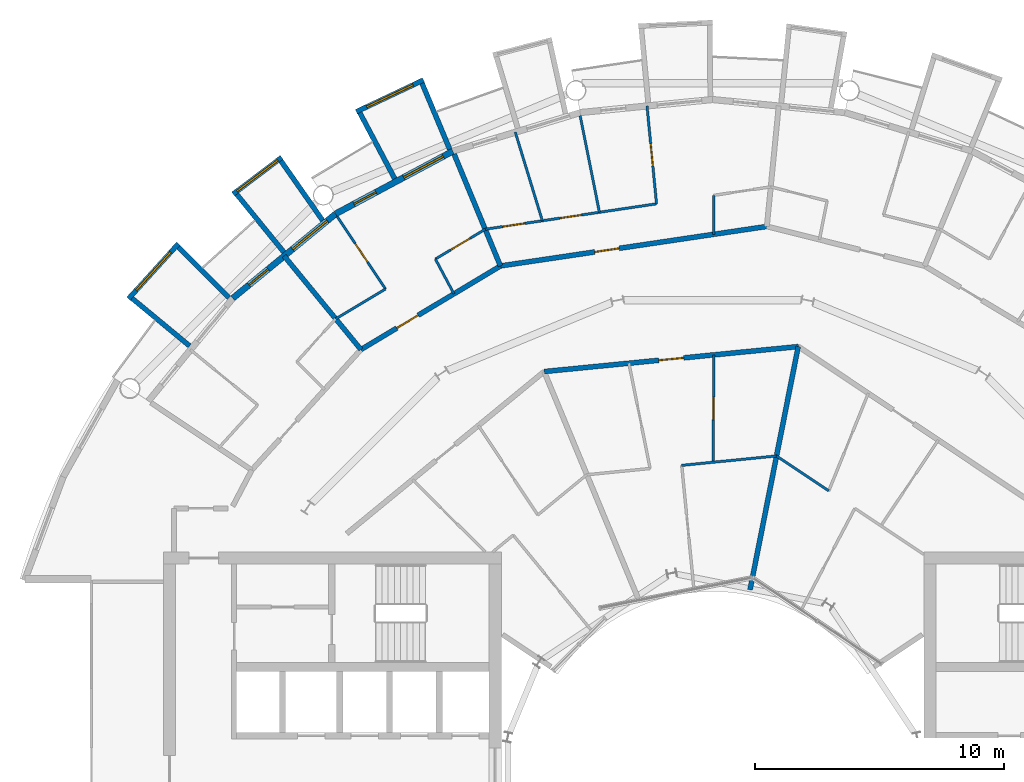
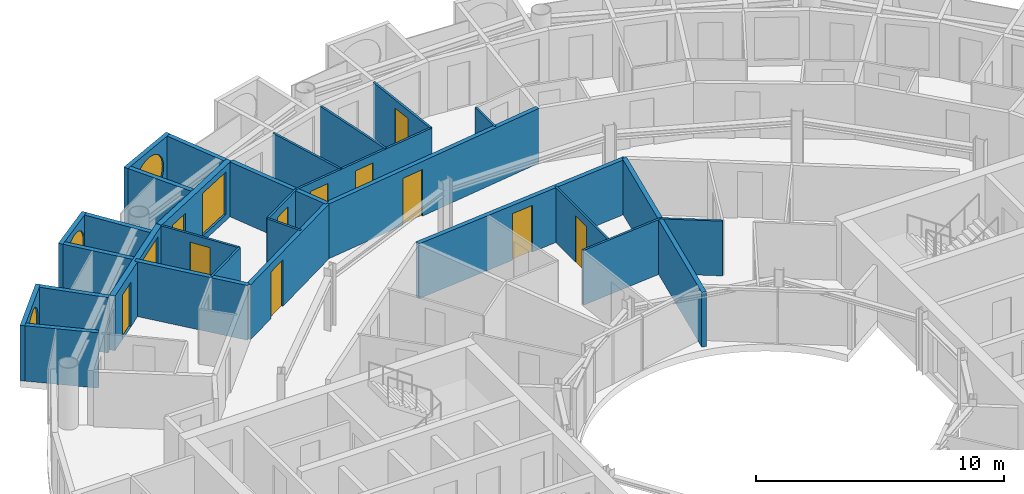
# One storey, part 20 of 27: 29 walls, 11 doors, 5 windows, 16 openings.
"""IFC4 building model written with IfcOpenShell, lengths in metres."""

from ifc_helpers import new_model, si_unit, direction, frame, frame_2d, origin, place, context, subcontext, project, spatial, rectangle, circle, extrude, material, layer, layer_set, type_object, element, fill, save


model = new_model("IFC4")

# Units and contexts
model_context = context("Model", 3, precision=1e-05, world=origin(), true_north=direction((0.0, 1.0)))
body_context = subcontext(model_context, "Body", "Model", "MODEL_VIEW")
ifc_project = project(units=[si_unit("LENGTHUNIT", "METRE"), si_unit("AREAUNIT", "SQUARE_METRE"), si_unit("VOLUMEUNIT", "CUBIC_METRE"), si_unit("PLANEANGLEUNIT", "RADIAN"), si_unit("MASSUNIT", "GRAM", prefix="KILO")], contexts=[model_context])

# Site, building, storey
site_placement = place(None, origin())
site = spatial("IfcSite", under=ifc_project, at=site_placement, CompositionType="ELEMENT")
building_placement = place(site_placement, origin())
building = spatial("IfcBuilding", under=site, at=building_placement, Name="Maasbend Ring Residences", CompositionType="ELEMENT")
storey_placement = place(building_placement, frame((0.0, 0.0, 145.199951171875)))
storey = spatial("IfcBuildingStorey", under=building, at=storey_placement, Name="L41", CompositionType="ELEMENT", Elevation=145.199951171875)

# Wall, opening, door
ifc_material_1 = material(Name="Concrete C30/37", Category="concrete")
ifc_layer_1 = layer(ifc_material_1, 0.199951171875)
ifc_layer_set_1 = layer_set([ifc_layer_1], Name="Concrete C30/37")
wall_type_1 = type_object("IfcWallType", Name="CORRIDOR WALL 200 CONCRETE", PredefinedType="PARTITIONING", material=ifc_layer_set_1)
wall_1_placement = place(storey_placement, frame((-6.77294921875, 16.35302734375, 0.0), z_axis=(0.0, 0.0, 1.0), x_axis=(0.995201809366, 0.097843541607, 0.0)))
wall_1 = element("IfcWall", 1, at=wall_1_placement, inside=storey, type_object=wall_type_1, Name="U-L41-w096", PredefinedType="PARTITIONING", context=body_context, shape_type="SweptSolid", body=[
    extrude(rectangle(XDim=10.2802734375, YDim=0.199951171875, at=frame_2d((5.14013671875, 0.0))), origin(), (0.0, 0.0, 1.0), 2.699951171875),
])
opening_1_placement = place(wall_1_placement, frame((4.637939453125, 0.0, 0.0)))
opening_1 = element("IfcOpeningElement", 2, at=opening_1_placement, cuts=wall_1, Name="Opening D-4125", PredefinedType="OPENING", context=body_context, shape_type="SweptSolid", body=[
    extrude(rectangle(XDim=1.0, YDim=2.300048828125, at=frame_2d((0.5, 1.14990234375))), frame((0.0, 0.10986328125, 0.0), z_axis=(0.0, -1.0, 0.0), x_axis=(1.0, 0.0, 0.0)), (0.0, 0.0, 1.0), 0.219970703125),
])
ifc_material_2 = material(Name="Timber, fire-rated, painted", Category="wood")
door_type_1 = type_object("IfcDoorType", Name="FLAT ENTRANCE DOOR 1000 X 2300 FIRE-RATED", OperationType="NOTDEFINED", PredefinedType="DOOR", material=ifc_material_2)
door_1_placement = place(opening_1_placement, origin())
door_1 = element("IfcDoor", 3, at=door_1_placement, inside=storey, type_object=door_type_1, Name="D-4125", OperationType="SINGLE_SWING_LEFT", OverallHeight=2.300048828125, OverallWidth=1.0, PredefinedType="DOOR", context=body_context, shape_type="SweptSolid", body=[
    extrude(rectangle(XDim=1.0, YDim=2.300048828125, at=frame_2d((0.5, 1.14990234375))), frame((0.0, 0.02490234375, 0.0), z_axis=(0.0, -1.0, 0.0), x_axis=(1.0, 0.0, 0.0)), (0.0, 0.0, 1.0), 0.050048828125),
])
fill(opening_1, door_1)

wall_2_placement = place(storey_placement, frame((-8.533935546875, 20.60302734375, 0.0), z_axis=(0.0, 0.0, 1.0), x_axis=(0.989177441421, 0.146724194948, 0.0)))
wall_2 = element("IfcWall", 4, at=wall_2_placement, inside=storey, type_object=wall_type_1, Name="U-L41-w097", PredefinedType="PARTITIONING", context=body_context, shape_type="SweptSolid", body=[
    extrude(rectangle(XDim=10.837158203125, YDim=0.199951171875, at=frame_2d((5.41845703125, 0.0))), origin(), (0.0, 0.0, 1.0), 2.699951171875),
])
opening_2_placement = place(wall_2_placement, frame((3.8349609375, 0.0, 0.0)))
opening_2 = element("IfcOpeningElement", 5, at=opening_2_placement, cuts=wall_2, Name="Opening D-4110", PredefinedType="OPENING", context=body_context, shape_type="SweptSolid", body=[
    extrude(rectangle(XDim=1.0, YDim=2.300048828125, at=frame_2d((0.5, 1.14990234375))), frame((0.0, 0.10986328125, 0.0), z_axis=(0.0, -1.0, 0.0), x_axis=(1.0, 0.0, 0.0)), (0.0, 0.0, 1.0), 0.219970703125),
])
door_2_placement = place(opening_2_placement, origin())
door_2 = element("IfcDoor", 6, at=door_2_placement, inside=storey, type_object=door_type_1, Name="D-4110", OperationType="SINGLE_SWING_LEFT", OverallHeight=2.300048828125, OverallWidth=1.0, PredefinedType="DOOR", context=body_context, shape_type="SweptSolid", body=[
    extrude(rectangle(XDim=1.0, YDim=2.300048828125, at=frame_2d((0.5, 1.14990234375))), frame((0.0, 0.02490234375, 0.0), z_axis=(0.0, -1.0, 0.0), x_axis=(1.0, 0.0, 0.0)), (0.0, 0.0, 1.0), 0.050048828125),
])
fill(opening_2, door_2)

wall_3_placement = place(storey_placement, frame((-14.14990234375, 17.235107421875, 0.0), z_axis=(0.0, 0.0, 1.0), x_axis=(0.857604752351, 0.514309331769, 0.0)))
wall_3 = element("IfcWall", 7, at=wall_3_placement, inside=storey, type_object=wall_type_1, Name="U-L41-w101", PredefinedType="PARTITIONING", context=body_context, shape_type="SweptSolid", body=[
    extrude(rectangle(XDim=6.54833984375, YDim=0.199951171875, at=frame_2d((3.274169921875, 0.0))), origin(), (0.0, 0.0, 1.0), 2.699951171875),
])
opening_3_placement = place(wall_3_placement, frame((1.68505859375, 0.0, 0.0)))
opening_3 = element("IfcOpeningElement", 8, at=opening_3_placement, cuts=wall_3, Name="Opening D-4115", PredefinedType="OPENING", context=body_context, shape_type="SweptSolid", body=[
    extrude(rectangle(XDim=1.0, YDim=2.300048828125, at=frame_2d((0.5, 1.14990234375))), frame((0.0, 0.10986328125, 0.0), z_axis=(0.0, -1.0, 0.0), x_axis=(1.0, 0.0, 0.0)), (0.0, 0.0, 1.0), 0.219970703125),
])
door_3_placement = place(opening_3_placement, origin())
door_3 = element("IfcDoor", 9, at=door_3_placement, inside=storey, type_object=door_type_1, Name="D-4115", OperationType="SINGLE_SWING_LEFT", OverallHeight=2.300048828125, OverallWidth=1.0, PredefinedType="DOOR", context=body_context, shape_type="SweptSolid", body=[
    extrude(rectangle(XDim=1.0, YDim=2.300048828125, at=frame_2d((0.5, 1.14990234375))), frame((0.0, 0.02490234375, 0.0), z_axis=(0.0, -1.0, 0.0), x_axis=(1.0, 0.0, 0.0)), (0.0, 0.0, 1.0), 0.050048828125),
])
fill(opening_3, door_3)

# Wall, opening, window
ifc_material_3 = material(Name="Pale anodised aluminium panel", Category="aluminium")
ifc_layer_2 = layer(ifc_material_3, 0.199951171875)
ifc_layer_set_2 = layer_set([ifc_layer_2], Name="EW-BOX")
wall_type_2 = type_object("IfcWallType", Name="EW-BOX", PredefinedType="SOLIDWALL", material=ifc_layer_set_2)
wall_4_placement = place(storey_placement, frame((-11.62890625, 28.087890625, -0.030029296875), z_axis=(0.0, 0.0, 1.0), x_axis=(-0.904000060331, -0.427532327342, 0.0)))
wall_4 = element("IfcWall", 10, at=wall_4_placement, inside=storey, type_object=wall_type_2, Name="Box front N15", PredefinedType="SOLIDWALL", context=body_context, shape_type="SweptSolid", body=[
    extrude(rectangle(XDim=2.993408203125, YDim=0.199951171875, at=frame_2d((1.49658203125, 0.0))), origin(), (0.0, 0.0, 1.0), 2.72998046875),
])
opening_4_placement = place(wall_4_placement, frame((0.45654296875, 0.0, 0.330078125)))
opening_4 = element("IfcOpeningElement", 11, at=opening_4_placement, cuts=wall_4, Name="Opening W-RD", PredefinedType="OPENING", context=body_context, shape_type="SweptSolid", body=[
    extrude(circle(Radius=1.0400390625, at=frame_2d((1.0400390625, 1.0400390625))), frame((0.0, 0.10986328125, 0.0), z_axis=(0.0, -1.0, 0.0), x_axis=(1.0, 0.0, 0.0)), (0.0, 0.0, 1.0), 0.219970703125),
])
ifc_material_4 = material(Name="Aluminium and clear glass", Category="aluminium")
window_type_1 = type_object("IfcWindowType", Name="W-RD", PartitioningType="SINGLE_PANEL", PredefinedType="WINDOW", material=ifc_material_4)
window_1_placement = place(opening_4_placement, origin())
window_1 = element("IfcWindow", 12, at=window_1_placement, inside=storey, type_object=window_type_1, Name="Round window N15", OverallHeight=2.080078125, OverallWidth=2.080078125, PartitioningType="SINGLE_PANEL", PredefinedType="WINDOW", context=body_context, shape_type="SweptSolid", body=[
    extrude(circle(Radius=1.0400390625, at=frame_2d((1.0400390625, 1.0400390625))), frame((0.0, 0.030029296875, 0.0), z_axis=(0.0, -1.0, 0.0), x_axis=(1.0, 0.0, 0.0)), (0.0, 0.0, 1.0), 0.06005859375),
])
fill(opening_4, window_1)

# Walls
wall_5_placement = place(storey_placement, frame((-10.574951171875, 25.294921875, -0.030029296875), z_axis=(0.0, 0.0, 1.0), x_axis=(-0.385697364644, 0.922625353492, 0.0)))
element("IfcWall", 13, at=wall_5_placement, inside=storey, type_object=wall_type_2, Name="Box side wall N15 left", PredefinedType="SOLIDWALL", context=body_context, shape_type="SweptSolid", body=[
    extrude(rectangle(XDim=2.88330078125, YDim=0.199951171875, at=frame_2d((1.441650390625, 0.0))), origin(), (0.0, 0.0, 1.0), 2.72998046875),
])
wall_6_placement = place(storey_placement, frame((-12.787109375, 24.113037109375, -0.030029296875), z_axis=(0.0, 0.0, 1.0), x_axis=(-0.468365282436, 0.883534924159, 0.0)))
element("IfcWall", 14, at=wall_6_placement, inside=storey, type_object=wall_type_2, Name="Box side wall N15 right", PredefinedType="SOLIDWALL", context=body_context, shape_type="SweptSolid", body=[
    extrude(rectangle(XDim=3.006103515625, YDim=0.199951171875, at=frame_2d((1.5029296875, 0.0))), origin(), (0.0, 0.0, 1.0), 2.72998046875),
])

# Wall, opening, window
wall_7_placement = place(storey_placement, frame((-17.3369140625, 24.971923828125, -0.030029296875), z_axis=(0.0, 0.0, 1.0), x_axis=(-0.797887588059, -0.602806268067, 0.0)))
wall_7 = element("IfcWall", 15, at=wall_7_placement, inside=storey, type_object=wall_type_2, Name="Box front N17", PredefinedType="SOLIDWALL", context=body_context, shape_type="SweptSolid", body=[
    extrude(rectangle(XDim=2.446533203125, YDim=0.199951171875, at=frame_2d((1.22314453125, 0.0))), origin(), (0.0, 0.0, 1.0), 2.72998046875),
])
opening_5_placement = place(wall_7_placement, frame((0.182861328125, 0.0, 0.330078125)))
opening_5 = element("IfcOpeningElement", 16, at=opening_5_placement, cuts=wall_7, Name="Opening W-RD", PredefinedType="OPENING", context=body_context, shape_type="SweptSolid", body=[
    extrude(circle(Radius=1.0400390625, at=frame_2d((1.0400390625, 1.0400390625))), frame((0.0, 0.10986328125, 0.0), z_axis=(0.0, -1.0, 0.0), x_axis=(1.0, 0.0, 0.0)), (0.0, 0.0, 1.0), 0.219970703125),
])
window_2_placement = place(opening_5_placement, origin())
window_2 = element("IfcWindow", 17, at=window_2_placement, inside=storey, type_object=window_type_1, Name="Round window N17", OverallHeight=2.080078125, OverallWidth=2.080078125, PartitioningType="SINGLE_PANEL", PredefinedType="WINDOW", context=body_context, shape_type="SweptSolid", body=[
    extrude(circle(Radius=1.0400390625, at=frame_2d((1.0400390625, 1.0400390625))), frame((0.0, 0.030029296875, 0.0), z_axis=(0.0, -1.0, 0.0), x_axis=(1.0, 0.0, 0.0)), (0.0, 0.0, 1.0), 0.06005859375),
])
fill(opening_5, window_2)

# Walls
wall_8_placement = place(storey_placement, frame((-15.68798828125, 22.43310546875, -0.030029296875), z_axis=(0.0, 0.0, 1.0), x_axis=(-0.573260687834, 0.819373043115, 0.0)))
element("IfcWall", 18, at=wall_8_placement, inside=storey, type_object=wall_type_2, Name="Box side wall N17 left", PredefinedType="SOLIDWALL", context=body_context, shape_type="SweptSolid", body=[
    extrude(rectangle(XDim=2.92529296875, YDim=0.199951171875, at=frame_2d((1.462646484375, 0.0))), origin(), (0.0, 0.0, 1.0), 2.72998046875),
])
wall_9_placement = place(storey_placement, frame((-17.24609375, 21.155029296875, -0.030029296875), z_axis=(0.0, 0.0, 1.0), x_axis=(-0.631741648902, 0.775179004516, 0.0)))
element("IfcWall", 19, at=wall_9_placement, inside=storey, type_object=wall_type_2, Name="Box side wall N17 right", PredefinedType="SOLIDWALL", context=body_context, shape_type="SweptSolid", body=[
    extrude(rectangle(XDim=3.005859375, YDim=0.199951171875, at=frame_2d((1.5029296875, 0.0))), origin(), (0.0, 0.0, 1.0), 2.72998046875),
])

# Wall, opening, window
wall_10_placement = place(storey_placement, frame((-21.492919921875, 21.5, -0.030029296875), z_axis=(0.0, 0.0, 1.0), x_axis=(-0.671506829416, -0.740998365753, 0.0)))
wall_10 = element("IfcWall", 20, at=wall_10_placement, inside=storey, type_object=wall_type_2, Name="Box front N19", PredefinedType="SOLIDWALL", context=body_context, shape_type="SweptSolid", body=[
    extrude(rectangle(XDim=2.9931640625, YDim=0.199951171875, at=frame_2d((1.49658203125, 0.0))), origin(), (0.0, 0.0, 1.0), 2.72998046875),
])
opening_6_placement = place(wall_10_placement, frame((0.45654296875, 0.0, 0.330078125)))
opening_6 = element("IfcOpeningElement", 21, at=opening_6_placement, cuts=wall_10, Name="Opening W-RD", PredefinedType="OPENING", context=body_context, shape_type="SweptSolid", body=[
    extrude(circle(Radius=1.0400390625, at=frame_2d((1.0400390625, 1.0400390625))), frame((0.0, 0.10986328125, 0.0), z_axis=(0.0, -1.0, 0.0), x_axis=(1.0, 0.0, 0.0)), (0.0, 0.0, 1.0), 0.219970703125),
])
window_3_placement = place(opening_6_placement, origin())
window_3 = element("IfcWindow", 22, at=window_3_placement, inside=storey, type_object=window_type_1, Name="Round window N19", OverallHeight=2.080078125, OverallWidth=2.080078125, PartitioningType="SINGLE_PANEL", PredefinedType="WINDOW", context=body_context, shape_type="SweptSolid", body=[
    extrude(circle(Radius=1.0400390625, at=frame_2d((1.0400390625, 1.0400390625))), frame((0.0, 0.030029296875, 0.0), z_axis=(0.0, -1.0, 0.0), x_axis=(1.0, 0.0, 0.0)), (0.0, 0.0, 1.0), 0.06005859375),
])
fill(opening_6, window_3)

# Walls
wall_11_placement = place(storey_placement, frame((-19.449951171875, 19.322998046875, -0.030029296875), z_axis=(0.0, 0.0, 1.0), x_axis=(-0.709727076896, 0.704476739375, 0.0)))
element("IfcWall", 23, at=wall_11_placement, inside=storey, type_object=wall_type_2, Name="Box side wall N19 left", PredefinedType="SOLIDWALL", context=body_context, shape_type="SweptSolid", body=[
    extrude(rectangle(XDim=2.883056640625, YDim=0.199951171875, at=frame_2d((1.44140625, 0.0))), origin(), (0.0, 0.0, 1.0), 2.72998046875),
])
wall_12_placement = place(storey_placement, frame((-21.041015625, 17.384033203125, -0.030029296875), z_axis=(0.0, 0.0, 1.0), x_axis=(-0.770784861449, 0.63709551667, 0.0)))
element("IfcWall", 24, at=wall_12_placement, inside=storey, type_object=wall_type_2, Name="Box side wall N19 right", PredefinedType="SOLIDWALL", context=body_context, shape_type="SweptSolid", body=[
    extrude(rectangle(XDim=3.005859375, YDim=0.199951171875, at=frame_2d((1.5029296875, 0.0))), origin(), (0.0, 0.0, 1.0), 2.72998046875),
])

# Wall, openings, door, window
ifc_material_5 = material(Name="Aluminium clad insulated panel", Category="aluminium")
ifc_layer_3 = layer(ifc_material_5, 0.25)
ifc_layer_set_3 = layer_set([ifc_layer_3], Name="EW-GL")
wall_type_3 = type_object("IfcWallType", Name="EW-GL", PredefinedType="SOLIDWALL", material=ifc_layer_set_3)
wall_13_placement = place(storey_placement, frame((-10.447021484375, 25.221923828125, 0.0), z_axis=(0.0, 0.0, 1.0), x_axis=(-0.881915646801, -0.471407246368, 0.0)))
wall_13 = element("IfcWall", 25, at=wall_13_placement, inside=storey, type_object=wall_type_3, Name="External wall N08", PredefinedType="SOLIDWALL", context=body_context, shape_type="SweptSolid", body=[
    extrude(rectangle(XDim=5.35205078125, YDim=0.25, at=frame_2d((2.676025390625, 0.0))), origin(), (0.0, 0.0, 1.0), 2.699951171875),
])
opening_7_placement = place(wall_13_placement, frame((0.441162109375, 0.0, 0.300048828125)))
opening_7 = element("IfcOpeningElement", 26, at=opening_7_placement, cuts=wall_13, Name="Opening W-BX", PredefinedType="OPENING", context=body_context, shape_type="SweptSolid", body=[
    extrude(rectangle(XDim=1.800048828125, YDim=2.10009765625, at=frame_2d((0.89990234375, 1.050048828125))), frame((0.0, 0.135009765625, 0.0), z_axis=(0.0, -1.0, 0.0), x_axis=(1.0, 0.0, 0.0)), (0.0, 0.0, 1.0), 0.27001953125),
])
opening_8_placement = place(wall_13_placement, frame((3.510498046875, 0.0, 0.0)))
opening_8 = element("IfcOpeningElement", 27, at=opening_8_placement, cuts=wall_13, Name="Opening D-LG", PredefinedType="OPENING", context=body_context, shape_type="SweptSolid", body=[
    extrude(rectangle(XDim=1.0, YDim=2.199951171875, at=frame_2d((0.5, 1.10009765625))), frame((0.0, 0.135009765625, 0.0), z_axis=(0.0, -1.0, 0.0), x_axis=(1.0, 0.0, 0.0)), (0.0, 0.0, 1.0), 0.27001953125),
])
ifc_material_6 = material(Name="Aluminium and clear glass", Category="aluminium")
door_type_2 = type_object("IfcDoorType", Name="D-LG", OperationType="SINGLE_SWING_LEFT", PredefinedType="DOOR", material=ifc_material_6)
door_4_placement = place(opening_8_placement, origin())
door_4 = element("IfcDoor", 28, at=door_4_placement, inside=storey, type_object=door_type_2, Name="Loggia door N16", OperationType="SINGLE_SWING_LEFT", OverallHeight=2.199951171875, OverallWidth=1.0, PredefinedType="DOOR", context=body_context, shape_type="SweptSolid", body=[
    extrude(rectangle(XDim=1.0, YDim=2.199951171875, at=frame_2d((0.5, 1.10009765625))), frame((0.0, 0.02490234375, 0.0), z_axis=(0.0, -1.0, 0.0), x_axis=(1.0, 0.0, 0.0)), (0.0, 0.0, 1.0), 0.050048828125),
])
fill(opening_8, door_4)
ifc_material_7 = material(Name="Aluminium and clear glass", Category="aluminium")
window_type_2 = type_object("IfcWindowType", Name="W-BX", PartitioningType="DOUBLE_PANEL_VERTICAL", PredefinedType="WINDOW", material=ifc_material_7)
window_4_placement = place(opening_7_placement, origin())
window_4 = element("IfcWindow", 29, at=window_4_placement, inside=storey, type_object=window_type_2, Name="Window N15 room to box", OverallHeight=2.10009765625, OverallWidth=1.800048828125, PartitioningType="SINGLE_PANEL", PredefinedType="WINDOW", context=body_context, shape_type="SweptSolid", body=[
    extrude(rectangle(XDim=1.800048828125, YDim=2.10009765625, at=frame_2d((0.89990234375, 1.050048828125))), frame((0.0, 0.030029296875, 0.0), z_axis=(0.0, -1.0, 0.0), x_axis=(1.0, 0.0, 0.0)), (0.0, 0.0, 1.0), 0.06005859375),
])
fill(opening_7, window_4)

wall_14_placement = place(storey_placement, frame((-15.1669921875, 22.698974609375, 0.0), z_axis=(0.0, 0.0, 1.0), x_axis=(-0.773019449054, -0.634382322723, 0.0)))
wall_14 = element("IfcWall", 30, at=wall_14_placement, inside=storey, type_object=wall_type_3, Name="External wall N09", PredefinedType="SOLIDWALL", context=body_context, shape_type="SweptSolid", body=[
    extrude(rectangle(XDim=5.351806640625, YDim=0.25, at=frame_2d((2.67578125, 0.0))), origin(), (0.0, 0.0, 1.0), 2.699951171875),
])
opening_9_placement = place(wall_14_placement, frame((0.441162109375, 0.0, 0.300048828125)))
opening_9 = element("IfcOpeningElement", 31, at=opening_9_placement, cuts=wall_14, Name="Opening W-BX", PredefinedType="OPENING", context=body_context, shape_type="SweptSolid", body=[
    extrude(rectangle(XDim=1.800048828125, YDim=2.10009765625, at=frame_2d((0.89990234375, 1.050048828125))), frame((0.0, 0.135009765625, 0.0), z_axis=(0.0, -1.0, 0.0), x_axis=(1.0, 0.0, 0.0)), (0.0, 0.0, 1.0), 0.27001953125),
])
opening_10_placement = place(wall_14_placement, frame((3.510498046875, 0.0, 0.0)))
opening_10 = element("IfcOpeningElement", 32, at=opening_10_placement, cuts=wall_14, Name="Opening D-LG", PredefinedType="OPENING", context=body_context, shape_type="SweptSolid", body=[
    extrude(rectangle(XDim=1.0, YDim=2.199951171875, at=frame_2d((0.5, 1.10009765625))), frame((0.0, 0.135009765625, 0.0), z_axis=(0.0, -1.0, 0.0), x_axis=(1.0, 0.0, 0.0)), (0.0, 0.0, 1.0), 0.27001953125),
])
door_5_placement = place(opening_10_placement, origin())
door_5 = element("IfcDoor", 33, at=door_5_placement, inside=storey, type_object=door_type_2, Name="Loggia door N18", OperationType="SINGLE_SWING_LEFT", OverallHeight=2.199951171875, OverallWidth=1.0, PredefinedType="DOOR", context=body_context, shape_type="SweptSolid", body=[
    extrude(rectangle(XDim=1.0, YDim=2.199951171875, at=frame_2d((0.5, 1.10009765625))), frame((0.0, 0.02490234375, 0.0), z_axis=(0.0, -1.0, 0.0), x_axis=(1.0, 0.0, 0.0)), (0.0, 0.0, 1.0), 0.050048828125),
])
fill(opening_10, door_5)
window_5_placement = place(opening_9_placement, origin())
window_5 = element("IfcWindow", 34, at=window_5_placement, inside=storey, type_object=window_type_2, Name="Window N17 room to box", OverallHeight=2.10009765625, OverallWidth=1.800048828125, PartitioningType="SINGLE_PANEL", PredefinedType="WINDOW", context=body_context, shape_type="SweptSolid", body=[
    extrude(rectangle(XDim=1.800048828125, YDim=2.10009765625, at=frame_2d((0.89990234375, 1.050048828125))), frame((0.0, 0.030029296875, 0.0), z_axis=(0.0, -1.0, 0.0), x_axis=(1.0, 0.0, 0.0)), (0.0, 0.0, 1.0), 0.06005859375),
])
fill(opening_9, window_5)

# Walls
ifc_material_8 = material(Name="Gypsum board on steel studs", Category="steel")
ifc_layer_4 = layer(ifc_material_8, 0.10009765625)
ifc_layer_set_4 = layer_set([ifc_layer_4], Name="PARTITION 100 GYPSUM")
wall_type_4 = type_object("IfcWallType", Name="PARTITION 100 GYPSUM", PredefinedType="PARTITIONING", material=ifc_layer_set_4)
wall_15_placement = place(storey_placement, frame((-11.15087890625, 20.87890625, 0.0), z_axis=(0.0, 0.0, 1.0), x_axis=(0.470724185475, -0.88228042096, 0.0)))
element("IfcWall", 35, at=wall_15_placement, inside=storey, type_object=wall_type_4, Name="U-L41-w027", PredefinedType="PARTITIONING", context=body_context, shape_type="SweptSolid", body=[
    extrude(rectangle(XDim=1.58447265625, YDim=0.10009765625, at=frame_2d((0.792236328125, 0.0))), origin(), (0.0, 0.0, 1.0), 2.699951171875),
])
wall_16_placement = place(storey_placement, frame((-5.326904296875, 26.64794921875, 0.0), z_axis=(0.0, 0.0, 1.0), x_axis=(0.195796227202, -0.980644603011, 0.0)))
element("IfcWall", 36, at=wall_16_placement, inside=storey, type_object=wall_type_4, Name="U-L41-w028", PredefinedType="PARTITIONING", context=body_context, shape_type="SweptSolid", body=[
    extrude(rectangle(XDim=3.962646484375, YDim=0.10009765625, at=frame_2d((1.9814453125, 0.0))), origin(), (0.0, 0.0, 1.0), 2.699951171875),
])

# Wall, opening, door
wall_17_placement = place(storey_placement, frame((-15.10498046875, 22.590087890625, 0.0), z_axis=(0.0, 0.0, 1.0), x_axis=(0.555873265997, -0.831267052246, 0.0)))
wall_17 = element("IfcWall", 37, at=wall_17_placement, inside=storey, type_object=wall_type_4, Name="U-L41-w039", PredefinedType="PARTITIONING", context=body_context, shape_type="SweptSolid", body=[
    extrude(rectangle(XDim=3.50439453125, YDim=0.10009765625, at=frame_2d((1.752197265625, 0.0))), origin(), (0.0, 0.0, 1.0), 2.699951171875),
])
opening_11_placement = place(wall_17_placement, frame((1.302001953125, 0.0, 0.0)))
opening_11 = element("IfcOpeningElement", 38, at=opening_11_placement, cuts=wall_17, Name="Opening D-4117", PredefinedType="OPENING", context=body_context, shape_type="SweptSolid", body=[
    extrude(rectangle(XDim=0.89990234375, YDim=2.300048828125, at=frame_2d((0.449951171875, 1.14990234375))), frame((0.0, 0.06005859375, 0.0), z_axis=(0.0, -1.0, 0.0), x_axis=(1.0, 0.0, 0.0)), (0.0, 0.0, 1.0), 0.1201171875),
])
ifc_material_9 = material(Name="Timber, painted", Category="wood")
door_type_3 = type_object("IfcDoorType", Name="INTERNAL DOOR 900 X 2300", OperationType="NOTDEFINED", PredefinedType="DOOR", material=ifc_material_9)
door_6_placement = place(opening_11_placement, origin())
door_6 = element("IfcDoor", 39, at=door_6_placement, inside=storey, type_object=door_type_3, Name="D-4117", OperationType="SINGLE_SWING_RIGHT", OverallHeight=2.300048828125, OverallWidth=0.89990234375, PredefinedType="DOOR", context=body_context, shape_type="SweptSolid", body=[
    extrude(rectangle(XDim=0.89990234375, YDim=2.300048828125, at=frame_2d((0.449951171875, 1.14990234375))), frame((0.0, 0.02490234375, 0.0), z_axis=(0.0, -1.0, 0.0), x_axis=(1.0, 0.0, 0.0)), (0.0, 0.0, 1.0), 0.050048828125),
])
fill(opening_11, door_6)

# Wall
wall_18_placement = place(storey_placement, frame((-7.93798828125, 25.989990234375, 0.0), z_axis=(0.0, 0.0, 1.0), x_axis=(0.292195259296, -0.956358682945, 0.0)))
element("IfcWall", 40, at=wall_18_placement, inside=storey, type_object=wall_type_4, Name="U-L41-w051", PredefinedType="PARTITIONING", context=body_context, shape_type="SweptSolid", body=[
    extrude(rectangle(XDim=3.730712890625, YDim=0.10009765625, at=frame_2d((1.865234375, 0.0))), origin(), (0.0, 0.0, 1.0), 2.699951171875),
])

# Wall, opening, door
wall_19_placement = place(storey_placement, frame((-2.636962890625, 27.047119140625, 0.0), z_axis=(0.0, 0.0, 1.0), x_axis=(0.096910924258, -0.995293058732, 0.0)))
wall_19 = element("IfcWall", 41, at=wall_19_placement, inside=storey, type_object=wall_type_4, Name="U-L41-w055", PredefinedType="PARTITIONING", context=body_context, shape_type="SweptSolid", body=[
    extrude(rectangle(XDim=3.962646484375, YDim=0.10009765625, at=frame_2d((1.9814453125, 0.0))), origin(), (0.0, 0.0, 1.0), 2.699951171875),
])
opening_12_placement = place(wall_19_placement, frame((1.531005859375, 0.0, 0.0)))
opening_12 = element("IfcOpeningElement", 42, at=opening_12_placement, cuts=wall_19, Name="Opening D-4112", PredefinedType="OPENING", context=body_context, shape_type="SweptSolid", body=[
    extrude(rectangle(XDim=0.89990234375, YDim=2.300048828125, at=frame_2d((0.449951171875, 1.14990234375))), frame((0.0, 0.06005859375, 0.0), z_axis=(0.0, -1.0, 0.0), x_axis=(1.0, 0.0, 0.0)), (0.0, 0.0, 1.0), 0.1201171875),
])
door_7_placement = place(opening_12_placement, origin())
door_7 = element("IfcDoor", 43, at=door_7_placement, inside=storey, type_object=door_type_3, Name="D-4112", OperationType="SINGLE_SWING_RIGHT", OverallHeight=2.300048828125, OverallWidth=0.89990234375, PredefinedType="DOOR", context=body_context, shape_type="SweptSolid", body=[
    extrude(rectangle(XDim=0.89990234375, YDim=2.300048828125, at=frame_2d((0.449951171875, 1.14990234375))), frame((0.0, 0.02490234375, 0.0), z_axis=(0.0, -1.0, 0.0), x_axis=(1.0, 0.0, 0.0)), (0.0, 0.0, 1.0), 0.050048828125),
])
fill(opening_12, door_7)

wall_20_placement = place(storey_placement, frame((0.032958984375, 12.705078125, 0.0), z_axis=(0.0, 0.0, 1.0), x_axis=(0.002543801832, 0.999996764531, 0.0)))
wall_20 = element("IfcWall", 44, at=wall_20_placement, inside=storey, type_object=wall_type_4, Name="U-L41-w057", PredefinedType="PARTITIONING", context=body_context, shape_type="SweptSolid", body=[
    extrude(rectangle(XDim=4.31884765625, YDim=0.10009765625, at=frame_2d((2.159423828125, 0.0))), origin(), (0.0, 0.0, 1.0), 2.699951171875),
])
opening_13_placement = place(wall_20_placement, frame((1.7099609375, 0.0, 0.0)))
opening_13 = element("IfcOpeningElement", 45, at=opening_13_placement, cuts=wall_20, Name="Opening D-4127", PredefinedType="OPENING", context=body_context, shape_type="SweptSolid", body=[
    extrude(rectangle(XDim=0.89990234375, YDim=2.300048828125, at=frame_2d((0.449951171875, 1.14990234375))), frame((0.0, 0.06005859375, 0.0), z_axis=(0.0, -1.0, 0.0), x_axis=(1.0, 0.0, 0.0)), (0.0, 0.0, 1.0), 0.1201171875),
])
door_8_placement = place(opening_13_placement, origin())
door_8 = element("IfcDoor", 46, at=door_8_placement, inside=storey, type_object=door_type_3, Name="D-4127", OperationType="SINGLE_SWING_RIGHT", OverallHeight=2.300048828125, OverallWidth=0.89990234375, PredefinedType="DOOR", context=body_context, shape_type="SweptSolid", body=[
    extrude(rectangle(XDim=0.89990234375, YDim=2.300048828125, at=frame_2d((0.449951171875, 1.14990234375))), frame((0.0, 0.02490234375, 0.0), z_axis=(0.0, -1.0, 0.0), x_axis=(1.0, 0.0, 0.0)), (0.0, 0.0, 1.0), 0.050048828125),
])
fill(opening_13, door_8)

# Walls
wall_21_placement = place(storey_placement, frame((0.0419921875, 21.875, 0.0), z_axis=(0.0, 0.0, 1.0), x_axis=(0.00186711982, 0.99999825693, 0.0)))
element("IfcWall", 47, at=wall_21_placement, inside=storey, type_object=wall_type_4, Name="U-L41-w058", PredefinedType="PARTITIONING", context=body_context, shape_type="SweptSolid", body=[
    extrude(rectangle(XDim=1.569091796875, YDim=0.10009765625, at=frame_2d((0.78466796875, 0.0))), origin(), (0.0, 0.0, 1.0), 2.699951171875),
])
wall_22_placement = place(storey_placement, frame((2.576904296875, 12.955078125, 0.0), z_axis=(0.0, 0.0, 1.0), x_axis=(0.831440395268, -0.555613956912, 0.0)))
element("IfcWall", 48, at=wall_22_placement, inside=storey, type_object=wall_type_4, Name="U-L41-w088", PredefinedType="PARTITIONING", context=body_context, shape_type="SweptSolid", body=[
    extrude(rectangle(XDim=2.527099609375, YDim=0.10009765625, at=frame_2d((1.263671875, 0.0))), origin(), (0.0, 0.0, 1.0), 2.699951171875),
])
wall_23_placement = place(storey_placement, frame((-1.24609375, 12.577880859375, 0.0), z_axis=(0.0, 0.0, 1.0), x_axis=(0.995125670186, 0.098614910314, 0.0)))
element("IfcWall", 49, at=wall_23_placement, inside=storey, type_object=wall_type_4, Name="U-L41-w093", PredefinedType="PARTITIONING", context=body_context, shape_type="SweptSolid", body=[
    extrude(rectangle(XDim=3.8349609375, YDim=0.10009765625, at=frame_2d((1.91748046875, 0.0))), origin(), (0.0, 0.0, 1.0), 2.699951171875),
])

# Wall, openings, doors
wall_24_placement = place(storey_placement, frame((-9.14892578125, 22.080078125, 0.0), z_axis=(0.0, 0.0, 1.0), x_axis=(0.989175993049, 0.146733959176, 0.0)))
wall_24 = element("IfcWall", 50, at=wall_24_placement, inside=storey, type_object=wall_type_4, Name="U-L41-w107", PredefinedType="PARTITIONING", context=body_context, shape_type="SweptSolid", body=[
    extrude(rectangle(XDim=6.971435546875, YDim=0.10009765625, at=frame_2d((3.48583984375, 0.0))), origin(), (0.0, 0.0, 1.0), 2.699951171875),
])
opening_14_placement = place(wall_24_placement, frame((3.033935546875, 0.0, 0.0)))
opening_14 = element("IfcOpeningElement", 51, at=opening_14_placement, cuts=wall_24, Name="Opening D-4113", PredefinedType="OPENING", context=body_context, shape_type="SweptSolid", body=[
    extrude(rectangle(XDim=0.89990234375, YDim=2.300048828125, at=frame_2d((0.449951171875, 1.14990234375))), frame((0.0, 0.06005859375, 0.0), z_axis=(0.0, -1.0, 0.0), x_axis=(1.0, 0.0, 0.0)), (0.0, 0.0, 1.0), 0.1201171875),
])
opening_15_placement = place(wall_24_placement, frame((0.716064453125, 0.0, 0.0)))
opening_15 = element("IfcOpeningElement", 52, at=opening_15_placement, cuts=wall_24, Name="Opening D-4114", PredefinedType="OPENING", context=body_context, shape_type="SweptSolid", body=[
    extrude(rectangle(XDim=0.89990234375, YDim=2.300048828125, at=frame_2d((0.449951171875, 1.14990234375))), frame((0.0, 0.06005859375, 0.0), z_axis=(0.0, -1.0, 0.0), x_axis=(1.0, 0.0, 0.0)), (0.0, 0.0, 1.0), 0.1201171875),
])
door_9_placement = place(opening_14_placement, origin())
door_9 = element("IfcDoor", 53, at=door_9_placement, inside=storey, type_object=door_type_3, Name="D-4113", OperationType="SINGLE_SWING_LEFT", OverallHeight=2.300048828125, OverallWidth=0.89990234375, PredefinedType="DOOR", context=body_context, shape_type="SweptSolid", body=[
    extrude(rectangle(XDim=0.89990234375, YDim=2.300048828125, at=frame_2d((0.449951171875, 1.14990234375))), frame((0.0, 0.02490234375, 0.0), z_axis=(0.0, -1.0, 0.0), x_axis=(1.0, 0.0, 0.0)), (0.0, 0.0, 1.0), 0.050048828125),
])
fill(opening_14, door_9)
door_10_placement = place(opening_15_placement, origin())
door_10 = element("IfcDoor", 54, at=door_10_placement, inside=storey, type_object=door_type_3, Name="D-4114", OperationType="SINGLE_SWING_LEFT", OverallHeight=2.300048828125, OverallWidth=0.89990234375, PredefinedType="DOOR", context=body_context, shape_type="SweptSolid", body=[
    extrude(rectangle(XDim=0.89990234375, YDim=2.300048828125, at=frame_2d((0.449951171875, 1.14990234375))), frame((0.0, 0.02490234375, 0.0), z_axis=(0.0, -1.0, 0.0), x_axis=(1.0, 0.0, 0.0)), (0.0, 0.0, 1.0), 0.050048828125),
])
fill(opening_15, door_10)

# Wall
wall_25_placement = place(storey_placement, frame((-15.162109375, 18.47509765625, 0.0), z_axis=(0.0, 0.0, 1.0), x_axis=(0.857714000218, 0.514127118358, 0.0)))
element("IfcWall", 55, at=wall_25_placement, inside=storey, type_object=wall_type_4, Name="U-L41-w111", PredefinedType="PARTITIONING", context=body_context, shape_type="SweptSolid", body=[
    extrude(rectangle(XDim=2.337646484375, YDim=0.10009765625, at=frame_2d((1.1689453125, 0.0))), origin(), (0.0, 0.0, 1.0), 2.699951171875),
])

# Wall, opening, door
wall_26_placement = place(storey_placement, frame((-11.15087890625, 20.87890625, 0.0), z_axis=(0.0, 0.0, 1.0), x_axis=(0.857640331606, 0.514249999127, 0.0)))
wall_26 = element("IfcWall", 56, at=wall_26_placement, inside=storey, type_object=wall_type_4, Name="U-L41-w112", PredefinedType="PARTITIONING", context=body_context, shape_type="SweptSolid", body=[
    extrude(rectangle(XDim=2.337646484375, YDim=0.10009765625, at=frame_2d((1.1689453125, 0.0))), origin(), (0.0, 0.0, 1.0), 2.699951171875),
])
opening_16_placement = place(wall_26_placement, frame((0.718994140625, 0.0, 0.0)))
opening_16 = element("IfcOpeningElement", 57, at=opening_16_placement, cuts=wall_26, Name="Opening D-4116", PredefinedType="OPENING", context=body_context, shape_type="SweptSolid", body=[
    extrude(rectangle(XDim=0.89990234375, YDim=2.300048828125, at=frame_2d((0.449951171875, 1.14990234375))), frame((0.0, 0.06005859375, 0.0), z_axis=(0.0, -1.0, 0.0), x_axis=(1.0, 0.0, 0.0)), (0.0, 0.0, 1.0), 0.1201171875),
])
door_11_placement = place(opening_16_placement, origin())
door_11 = element("IfcDoor", 58, at=door_11_placement, inside=storey, type_object=door_type_3, Name="D-4116", OperationType="SINGLE_SWING_RIGHT", OverallHeight=2.300048828125, OverallWidth=0.89990234375, PredefinedType="DOOR", context=body_context, shape_type="SweptSolid", body=[
    extrude(rectangle(XDim=0.89990234375, YDim=2.300048828125, at=frame_2d((0.449951171875, 1.14990234375))), frame((0.0, 0.02490234375, 0.0), z_axis=(0.0, -1.0, 0.0), x_axis=(1.0, 0.0, 0.0)), (0.0, 0.0, 1.0), 0.050048828125),
])
fill(opening_16, door_11)

# Walls
ifc_material_10 = material(Name="Concrete C30/37", Category="concrete")
ifc_layer_5 = layer(ifc_material_10, 0.199951171875)
ifc_layer_set_5 = layer_set([ifc_layer_5], Name="Concrete C30/37")
wall_type_5 = type_object("IfcWallType", Name="PARTY WALL 200 CONCRETE", PredefinedType="PARTITIONING", material=ifc_layer_set_5)
wall_27_placement = place(storey_placement, frame((1.509033203125, 7.571044921875, 0.0), z_axis=(0.0, 0.0, 1.0), x_axis=(0.194375258943, 0.980927244351, 0.0)))
element("IfcWall", 59, at=wall_27_placement, inside=storey, type_object=wall_type_5, Name="U-L41-w029", PredefinedType="PARTITIONING", context=body_context, shape_type="SweptSolid", body=[
    extrude(rectangle(XDim=9.98046875, YDim=0.199951171875, at=frame_2d((4.990234375, 0.0))), origin(), (0.0, 0.0, 1.0), 2.699951171875),
])
wall_28_placement = place(storey_placement, frame((-17.239990234375, 21.007080078125, 0.0), z_axis=(0.0, 0.0, 1.0), x_axis=(0.634374159378, -0.773026148273, 0.0)))
element("IfcWall", 60, at=wall_28_placement, inside=storey, type_object=wall_type_5, Name="U-L41-w036", PredefinedType="PARTITIONING", context=body_context, shape_type="SweptSolid", body=[
    extrude(rectangle(XDim=4.875732421875, YDim=0.199951171875, at=frame_2d((2.43798828125, 0.0))), origin(), (0.0, 0.0, 1.0), 2.699951171875),
])
wall_29_placement = place(storey_placement, frame((-10.39990234375, 25.10498046875, 0.0), z_axis=(0.0, 0.0, 1.0), x_axis=(0.382722001241, -0.923863555817, 0.0)))
element("IfcWall", 61, at=wall_29_placement, inside=storey, type_object=wall_type_5, Name="U-L41-w045", PredefinedType="PARTITIONING", context=body_context, shape_type="SweptSolid", body=[
    extrude(rectangle(XDim=4.873046875, YDim=0.199951171875, at=frame_2d((2.4365234375, 0.0))), origin(), (0.0, 0.0, 1.0), 2.699951171875),
])

save(model, "model.ifc")
